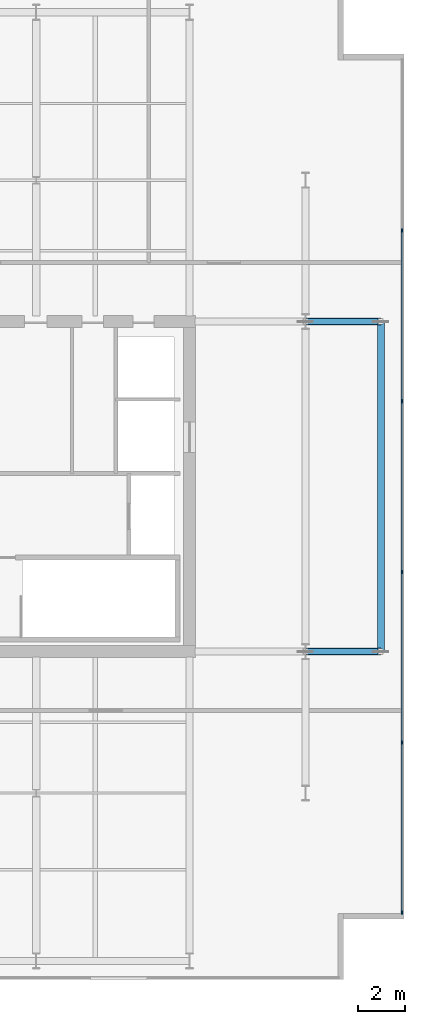
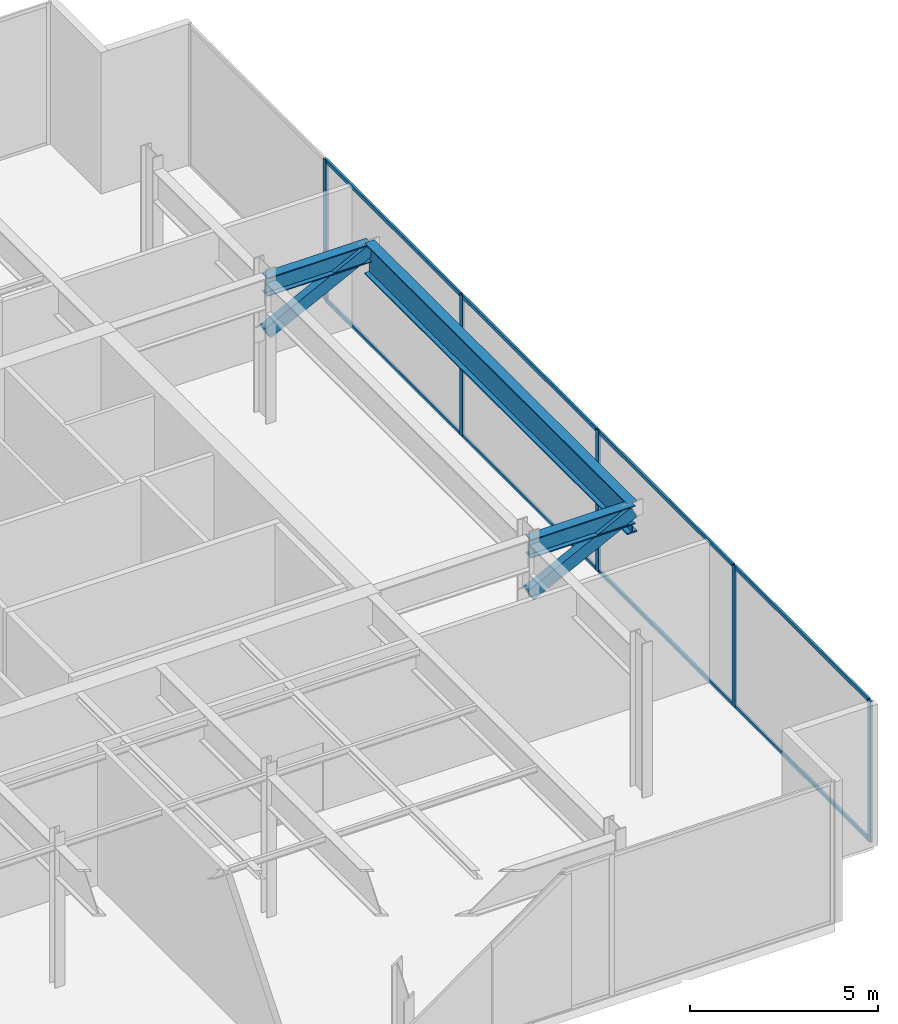
# One storey, part 14 of 21: 15 members, 3 beams, 1 element without a shape of its own.
"""IFC4 building model written with IfcOpenShell, lengths in metres."""

from ifc_helpers import new_model, si_unit, direction, frame, origin, origin_2d, place, context, subcontext, project, spatial, rectangle, hollow_rectangle, i_section, extrude, material, layer, layer_set, material_profile, profile_set, type_object, element, aggregate, save


model = new_model("IFC4")

# Units and contexts
model_context = context("Model", 3, precision=1e-05, world=origin(), true_north=direction((0.0, 1.0)))
body_context = subcontext(model_context, "Body", "Model", "MODEL_VIEW")
ifc_project = project(units=[si_unit("LENGTHUNIT", "METRE"), si_unit("AREAUNIT", "SQUARE_METRE"), si_unit("VOLUMEUNIT", "CUBIC_METRE"), si_unit("PLANEANGLEUNIT", "RADIAN"), si_unit("MASSUNIT", "GRAM", prefix="KILO")], contexts=[model_context])

# Site, building, storey
site_placement = place(None, origin())
site = spatial("IfcSite", under=ifc_project, at=site_placement, CompositionType="ELEMENT")
building_placement = place(site_placement, origin())
building = spatial("IfcBuilding", under=site, at=building_placement, Name="Putna Gate Headquarters", CompositionType="ELEMENT")
storey_placement = place(building_placement, frame((0.0, 0.0, 315.39990234375)))
storey = spatial("IfcBuildingStorey", under=building, at=storey_placement, Name="L79", CompositionType="ELEMENT", Elevation=315.39990234375)

# Beams
ifc_material_1 = material(Name="Steel S355J2", Category="steel")
ifc_material_profile_1 = material_profile(ifc_material_1, i_section(OverallWidth=0.300048828125, OverallDepth=0.60009765625, WebThickness=0.015380859375, FlangeThickness=0.030029296875, at=origin_2d()), Name="Steel S355J2")
ifc_profile_set_1 = profile_set([ifc_material_profile_1], Name="Steel S355J2")
beam_type_1 = type_object("IfcBeamType", Name="BM-GIRD-SAIL-HEB600", PredefinedType="USERDEFINED", material=ifc_profile_set_1)
for number, where, z_axis, x_axis, name in (
    (1, (69.926025390625, 19.0, 4.280029296875), (1.0, 0.0, 0.0), (0.0, 1.0, 0.0), "L79 East Sail Outrigger Bracket Y19"),
    (2, (69.926025390625, 33.0, 4.280029296875), (1.0, 0.0, 0.0), (0.0, 1.0, 0.0), "L79 East Sail Outrigger Bracket Y33"),
):
    element("IfcBeam", number, at=place(storey_placement, frame(where, z_axis=z_axis, x_axis=x_axis)), inside=storey, type_object=beam_type_1, Name=name, ObjectType="GIRDER", PredefinedType="USERDEFINED", context=body_context, shape_type="SweptSolid", body=[
        extrude(i_section(OverallWidth=0.300048828125, OverallDepth=0.60009765625, WebThickness=0.015380859375, FlangeThickness=0.030029296875, at=origin_2d()), origin(), (0.0, 0.0, 1.0), 3.194091796875),
    ])
ifc_material_2 = material(Name="Steel S460M", Category="steel")
ifc_material_profile_2 = material_profile(ifc_material_2, i_section(OverallWidth=0.302001953125, OverallDepth=1.008056640625, WebThickness=0.02099609375, FlangeThickness=0.0400390625, at=origin_2d()), Name="Steel S460M")
ifc_profile_set_2 = profile_set([ifc_material_profile_2], Name="Steel S460M")
beam_type_2 = type_object("IfcBeamType", Name="BM-TG-HEM1000-EXT", PredefinedType="USERDEFINED", material=ifc_profile_set_2)
beam_placement = place(storey_placement, frame((73.1201171875, 19.02001953125, 4.076171875), z_axis=(0.0, 1.0, 0.0), x_axis=(-1.0, 0.0, 0.0)))
element("IfcBeam", 3, at=beam_placement, inside=storey, type_object=beam_type_2, Name="L79 East Sail Edge Spandrel", ObjectType="GIRDER", PredefinedType="USERDEFINED", context=body_context, shape_type="SweptSolid", body=[
    extrude(i_section(OverallWidth=0.302001953125, OverallDepth=1.008056640625, WebThickness=0.02099609375, FlangeThickness=0.0400390625, at=origin_2d()), origin(), (0.0, 0.0, 1.0), 13.9599609375),
])

# Members
ifc_material_profile_3 = material_profile(ifc_material_2, hollow_rectangle(XDim=0.25, YDim=0.39990234375, WallThickness=0.01611328125, at=origin_2d()), Name="Steel S460M")
ifc_profile_set_3 = profile_set([ifc_material_profile_3], Name="Steel S460M")
member_type_1 = type_object("IfcMemberType", Name="MEM-SAIL-BRACE-RHS400", PredefinedType="BRACE", material=ifc_profile_set_3)
for number, where, z_axis, x_axis, name in (
    (4, (69.932861328125, 19.0, 2.759033203125), (0.893014914821, 0.0, 0.450027067971), (0.0, 1.0, 0.0), "L79 East Sail Cantilever Raker Y19"),
    (5, (69.932861328125, 33.0, 2.759033203125), (0.893014914821, 0.0, 0.450027067971), (0.0, 1.0, 0.0), "L79 East Sail Cantilever Raker Y33"),
):
    element("IfcMember", number, at=place(storey_placement, frame(where, z_axis=z_axis, x_axis=x_axis)), inside=storey, type_object=member_type_1, Name=name, PredefinedType="BRACE", context=body_context, shape_type="SweptSolid", body=[
        extrude(hollow_rectangle(XDim=0.25, YDim=0.39990234375, WallThickness=0.01611328125, at=origin_2d()), origin(), (0.0, 0.0, 1.0), 3.53759765625),
    ])

# Curtain wall, members
ifc_material_3 = material(Name="Anodised bronze aluminium curtain wall", Category="aluminium")
ifc_layer = layer(ifc_material_3, 0.159912109375)
ifc_layer_set = layer_set([ifc_layer], Name="Anodised bronze aluminium curtain wall")
curtain_wall_type = type_object("IfcCurtainWallType", Name="CW-SYS-CRN", PredefinedType="USERDEFINED", material=ifc_layer_set)
curtain_wall_placement = place(storey_placement, origin())
curtain_wall = element("IfcCurtainWall", 6, at=curtain_wall_placement, inside=storey, type_object=curtain_wall_type, Name="L79 Acoustic Louvre East Enclosure", ObjectType="STICK CURTAIN WALL", PredefinedType="USERDEFINED")
ifc_material_4 = material(Name="Anodised bronze aluminium EN AW-6060", Category="aluminium")
ifc_material_profile_4 = material_profile(ifc_material_4, rectangle(XDim=0.06494140625, YDim=0.159912109375, at=origin_2d()), Name="Anodised bronze aluminium EN AW-6060")
ifc_profile_set_4 = profile_set([ifc_material_profile_4], Name="Anodised bronze aluminium EN AW-6060")
member_type_2 = type_object("IfcMemberType", Name="MULL-CWM-CR", PredefinedType="MULLION", material=ifc_profile_set_4)
member_1_placement = place(storey_placement, frame((74.02001953125, 7.9326171875, 0.0), z_axis=(0.0, 0.0, 1.0), x_axis=(-1.0, 0.0, 0.0)))
member_1 = element("IfcMember", 7, at=member_1_placement, type_object=member_type_2, Name="CWS-CR mullion 1", PredefinedType="MULLION", context=body_context, shape_type="SweptSolid", body=[
    extrude(rectangle(XDim=0.06494140625, YDim=0.159912109375, at=origin_2d()), origin(), (0.0, 0.0, 1.0), 4.580078125),
])
member_2_placement = place(storey_placement, frame((74.02001953125, 15.139892578125, 0.0), z_axis=(0.0, 0.0, 1.0), x_axis=(-1.0, 0.0, 0.0)))
member_2 = element("IfcMember", 8, at=member_2_placement, type_object=member_type_2, Name="CWS-CR mullion 2", PredefinedType="MULLION", context=body_context, shape_type="SweptSolid", body=[
    extrude(rectangle(XDim=0.06494140625, YDim=0.159912109375, at=origin_2d()), origin(), (0.0, 0.0, 1.0), 4.580078125),
])
member_3_placement = place(storey_placement, frame((74.02001953125, 22.3798828125, 0.0), z_axis=(0.0, 0.0, 1.0), x_axis=(-1.0, 0.0, 0.0)))
member_3 = element("IfcMember", 9, at=member_3_placement, type_object=member_type_2, Name="CWS-CR mullion 3", PredefinedType="MULLION", context=body_context, shape_type="SweptSolid", body=[
    extrude(rectangle(XDim=0.06494140625, YDim=0.159912109375, at=origin_2d()), origin(), (0.0, 0.0, 1.0), 4.580078125),
])
member_4_placement = place(storey_placement, frame((74.02001953125, 29.6201171875, 0.0), z_axis=(0.0, 0.0, 1.0), x_axis=(-1.0, 0.0, 0.0)))
member_4 = element("IfcMember", 10, at=member_4_placement, type_object=member_type_2, Name="CWS-CR mullion 4", PredefinedType="MULLION", context=body_context, shape_type="SweptSolid", body=[
    extrude(rectangle(XDim=0.06494140625, YDim=0.159912109375, at=origin_2d()), origin(), (0.0, 0.0, 1.0), 4.580078125),
])
member_5_placement = place(storey_placement, frame((74.02001953125, 36.860107421875, 0.0), z_axis=(0.0, 0.0, 1.0), x_axis=(-1.0, 0.0, 0.0)))
member_5 = element("IfcMember", 11, at=member_5_placement, type_object=member_type_2, Name="CWS-CR mullion 5", PredefinedType="MULLION", context=body_context, shape_type="SweptSolid", body=[
    extrude(rectangle(XDim=0.06494140625, YDim=0.159912109375, at=origin_2d()), origin(), (0.0, 0.0, 1.0), 4.580078125),
])
ifc_material_profile_5 = material_profile(ifc_material_4, rectangle(XDim=0.06494140625, YDim=0.1201171875, at=origin_2d()), Name="Anodised bronze aluminium EN AW-6060")
ifc_profile_set_5 = profile_set([ifc_material_profile_5], Name="Anodised bronze aluminium EN AW-6060")
member_type_3 = type_object("IfcMemberType", Name="TRAN-CWT-CR", PredefinedType="USERDEFINED", material=ifc_profile_set_5)
member_6_placement = place(storey_placement, frame((74.02001953125, 7.965087890625, 0.03271484375), z_axis=(0.0, 1.0, 0.0), x_axis=(-1.0, 0.0, 0.0)))
member_6 = element("IfcMember", 12, at=member_6_placement, type_object=member_type_3, Name="CWS-CR transom 1.1", ObjectType="TRANSOM", PredefinedType="USERDEFINED", context=body_context, shape_type="SweptSolid", body=[
    extrude(rectangle(XDim=0.06494140625, YDim=0.1201171875, at=origin_2d()), origin(), (0.0, 0.0, 1.0), 7.142333984375),
])
member_7_placement = place(storey_placement, frame((74.02001953125, 7.965087890625, 4.547607421875), z_axis=(0.0, 1.0, 0.0), x_axis=(-1.0, 0.0, 0.0)))
member_7 = element("IfcMember", 13, at=member_7_placement, type_object=member_type_3, Name="CWS-CR transom 1.2", ObjectType="TRANSOM", PredefinedType="USERDEFINED", context=body_context, shape_type="SweptSolid", body=[
    extrude(rectangle(XDim=0.06494140625, YDim=0.1201171875, at=origin_2d()), origin(), (0.0, 0.0, 1.0), 7.142333984375),
])
member_8_placement = place(storey_placement, frame((74.02001953125, 15.172607421875, 0.03271484375), z_axis=(0.0, 1.0, 0.0), x_axis=(-1.0, 0.0, 0.0)))
member_8 = element("IfcMember", 14, at=member_8_placement, type_object=member_type_3, Name="CWS-CR transom 2.1", ObjectType="TRANSOM", PredefinedType="USERDEFINED", context=body_context, shape_type="SweptSolid", body=[
    extrude(rectangle(XDim=0.06494140625, YDim=0.1201171875, at=origin_2d()), origin(), (0.0, 0.0, 1.0), 7.1748046875),
])
member_9_placement = place(storey_placement, frame((74.02001953125, 15.172607421875, 4.547607421875), z_axis=(0.0, 1.0, 0.0), x_axis=(-1.0, 0.0, 0.0)))
member_9 = element("IfcMember", 15, at=member_9_placement, type_object=member_type_3, Name="CWS-CR transom 2.2", ObjectType="TRANSOM", PredefinedType="USERDEFINED", context=body_context, shape_type="SweptSolid", body=[
    extrude(rectangle(XDim=0.06494140625, YDim=0.1201171875, at=origin_2d()), origin(), (0.0, 0.0, 1.0), 7.1748046875),
])
member_10_placement = place(storey_placement, frame((74.02001953125, 22.41259765625, 0.03271484375), z_axis=(0.0, 1.0, 0.0), x_axis=(-1.0, 0.0, 0.0)))
member_10 = element("IfcMember", 16, at=member_10_placement, type_object=member_type_3, Name="CWS-CR transom 3.1", ObjectType="TRANSOM", PredefinedType="USERDEFINED", context=body_context, shape_type="SweptSolid", body=[
    extrude(rectangle(XDim=0.06494140625, YDim=0.1201171875, at=origin_2d()), origin(), (0.0, 0.0, 1.0), 7.1748046875),
])
member_11_placement = place(storey_placement, frame((74.02001953125, 22.41259765625, 4.547607421875), z_axis=(0.0, 1.0, 0.0), x_axis=(-1.0, 0.0, 0.0)))
member_11 = element("IfcMember", 17, at=member_11_placement, type_object=member_type_3, Name="CWS-CR transom 3.2", ObjectType="TRANSOM", PredefinedType="USERDEFINED", context=body_context, shape_type="SweptSolid", body=[
    extrude(rectangle(XDim=0.06494140625, YDim=0.1201171875, at=origin_2d()), origin(), (0.0, 0.0, 1.0), 7.1748046875),
])
member_12_placement = place(storey_placement, frame((74.02001953125, 29.652587890625, 0.03271484375), z_axis=(0.0, 1.0, 0.0), x_axis=(-1.0, 0.0, 0.0)))
member_12 = element("IfcMember", 18, at=member_12_placement, type_object=member_type_3, Name="CWS-CR transom 4.1", ObjectType="TRANSOM", PredefinedType="USERDEFINED", context=body_context, shape_type="SweptSolid", body=[
    extrude(rectangle(XDim=0.06494140625, YDim=0.1201171875, at=origin_2d()), origin(), (0.0, 0.0, 1.0), 7.1748046875),
])
member_13_placement = place(storey_placement, frame((74.02001953125, 29.652587890625, 4.547607421875), z_axis=(0.0, 1.0, 0.0), x_axis=(-1.0, 0.0, 0.0)))
member_13 = element("IfcMember", 19, at=member_13_placement, type_object=member_type_3, Name="CWS-CR transom 4.2", ObjectType="TRANSOM", PredefinedType="USERDEFINED", context=body_context, shape_type="SweptSolid", body=[
    extrude(rectangle(XDim=0.06494140625, YDim=0.1201171875, at=origin_2d()), origin(), (0.0, 0.0, 1.0), 7.1748046875),
])
aggregate(curtain_wall, [member_1, member_2, member_3, member_4, member_5, member_6, member_7, member_8, member_9, member_10, member_11, member_12, member_13])

save(model, "model.ifc")
